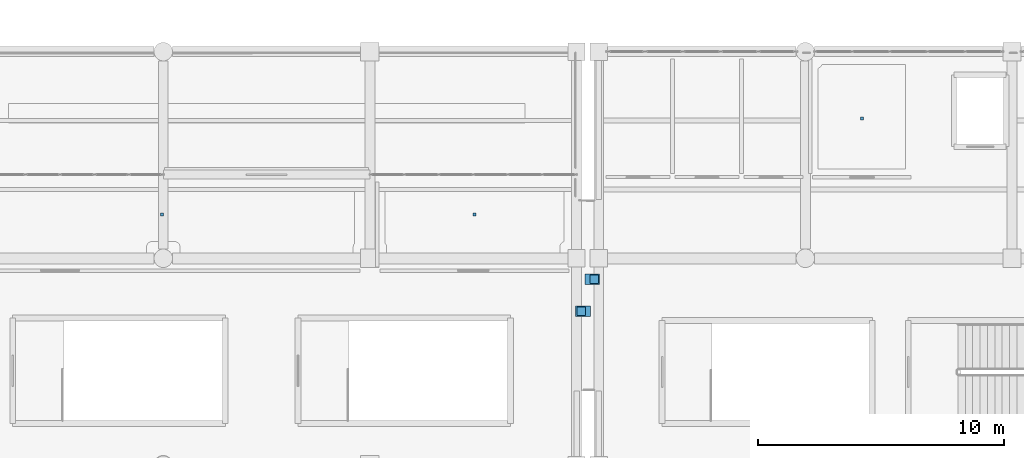
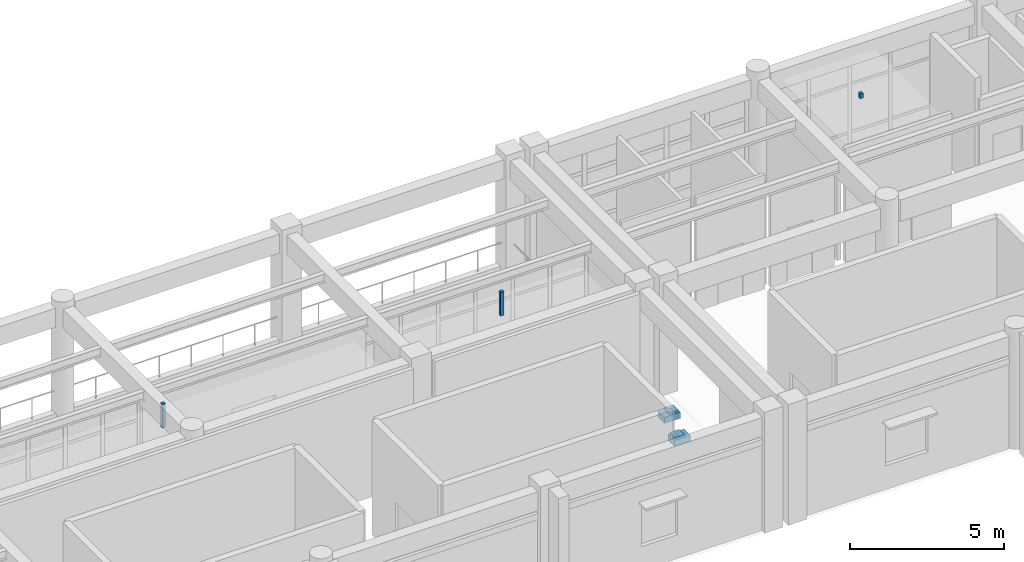
# One storey, part 90 of 111: 7 discrete accessories.
"""IFC4 building model written with IfcOpenShell, lengths in metres."""

from ifc_helpers import new_model, si_unit, direction, frame, origin, origin_2d, place, context, subcontext, project, spatial, rectangle, extrude, material, layer, layer_set, type_object, element, save


model = new_model("IFC4")

# Units and contexts
model_context = context("Model", 3, precision=1e-05, world=origin(), true_north=direction((0.0, 1.0)))
body_context = subcontext(model_context, "Body", "Model", "MODEL_VIEW")
ifc_project = project(units=[si_unit("LENGTHUNIT", "METRE"), si_unit("AREAUNIT", "SQUARE_METRE"), si_unit("VOLUMEUNIT", "CUBIC_METRE"), si_unit("PLANEANGLEUNIT", "RADIAN"), si_unit("MASSUNIT", "GRAM", prefix="KILO")], contexts=[model_context])

# Site, building, storey
site_placement = place(None, origin())
site = spatial("IfcSite", under=ifc_project, at=site_placement, CompositionType="ELEMENT")
building_placement = place(site_placement, origin())
building = spatial("IfcBuilding", under=site, at=building_placement, Name="Canglan Escarpment Cableway Terminal", CompositionType="ELEMENT")
storey_placement = place(building_placement, frame((0.0, 0.0, 4.800048828125)))
storey = spatial("IfcBuildingStorey", under=building, at=storey_placement, Name="L01", CompositionType="ELEMENT", Elevation=4.800048828125)

# Discrete accessories
ifc_material_1 = material(Name="Steel Q355B", Category="steel")
ifc_layer_1 = layer(ifc_material_1, 0.159912109375, Name="Steel Q355B")
ifc_layer_set_1 = layer_set([ifc_layer_1], Name="Steel Q355B")
discrete_accessory_type_1 = type_object("IfcDiscreteAccessoryType", Name="ACC-BRACKET-01", PredefinedType="BRACKET", material=ifc_layer_set_1)
for number, where, z_axis, x_axis, name in (
    (1, (24.75, 18.179931640625, 3.6201171875), (0.0, 0.0, 1.0), (1.0, 0.0, 0.0), "Suspended ceiling hanger bracket BK-01"),
    (2, (37.449951171875, 18.17578125, 3.6201171875), (0.0, 0.0, 1.0), (1.0, 0.0, 0.0), "Suspended ceiling hanger bracket BK-01"),
):
    element("IfcDiscreteAccessory", number, at=place(storey_placement, frame(where, z_axis=z_axis, x_axis=x_axis)), inside=storey, type_object=discrete_accessory_type_1, Name=name, PredefinedType="BRACKET", context=body_context, shape_type="SweptSolid", body=[
        extrude(rectangle(XDim=0.1201171875, YDim=0.1201171875, at=origin_2d()), origin(), (0.0, 0.0, 1.0), 0.949951171875),
    ])
discrete_accessory_placement = place(storey_placement, frame((53.199951171875, 22.07421875, 4.3701171875), z_axis=(0.0, 0.0, 1.0), x_axis=(1.0, 0.0, 0.0)))
element("IfcDiscreteAccessory", 3, at=discrete_accessory_placement, inside=storey, type_object=discrete_accessory_type_1, Name="Suspended ceiling hanger bracket BK-01", PredefinedType="BRACKET", context=body_context, shape_type="SweptSolid", body=[
    extrude(rectangle(XDim=0.1201171875, YDim=0.1201171875, at=origin_2d()), origin(), (0.0, 0.0, 1.0), 0.199951171875),
])
ifc_material_2 = material(Name="Concrete C40", Category="concrete")
ifc_layer_2 = layer(ifc_material_2, 0.239990234375, Name="Concrete C40")
ifc_layer_set_2 = layer_set([ifc_layer_2], Name="Concrete C40")
discrete_accessory_type_2 = type_object("IfcDiscreteAccessoryType", Name="ACC-CORBEL-CB01", PredefinedType="BRACKET", material=ifc_layer_set_2)
for number, where, z_axis, x_axis, name in (
    (4, (41.864990234375, 14.25, -0.5400390625), (0.0, 0.0, 1.0), (1.0, 0.0, 0.0), "Concrete C40 movement-joint corbel bearing ledge CB-01"),
    (5, (42.235107421875, 15.550048828125, -0.5400390625), (0.0, 0.0, 1.0), (1.0, 0.0, 0.0), "Concrete C40 movement-joint corbel bearing ledge CB-01"),
):
    element("IfcDiscreteAccessory", number, at=place(storey_placement, frame(where, z_axis=z_axis, x_axis=x_axis)), inside=storey, type_object=discrete_accessory_type_2, Name=name, PredefinedType="BRACKET", context=body_context, shape_type="SweptSolid", body=[
        extrude(rectangle(XDim=0.60009765625, YDim=0.419921875, at=origin_2d()), origin(), (0.0, 0.0, 1.0), 0.239990234375),
    ])
ifc_material_3 = material(Name="Stainless steel and PTFE elastomer", Category="steel")
ifc_layer_3 = layer(ifc_material_3, 0.080078125, Name="Stainless steel and PTFE elastomer")
ifc_layer_set_3 = layer_set([ifc_layer_3], Name="Stainless steel and PTFE elastomer")
discrete_accessory_type_3 = type_object("IfcDiscreteAccessoryType", Name="BRG-SLIDING-MJ01", PredefinedType="USERDEFINED", material=ifc_layer_set_3)
for number, where, z_axis, x_axis, name in (
    (6, (41.784912109375, 14.25, -0.300048828125), (0.0, 0.0, 1.0), (1.0, 0.0, 0.0), "Unguided PTFE-elastomeric sliding bearing pad MJ-01"),
    (7, (42.31494140625, 15.550048828125, -0.300048828125), (0.0, 0.0, 1.0), (1.0, 0.0, 0.0), "Unguided PTFE-elastomeric sliding bearing pad MJ-01"),
):
    element("IfcDiscreteAccessory", number, at=place(storey_placement, frame(where, z_axis=z_axis, x_axis=x_axis)), inside=storey, type_object=discrete_accessory_type_3, Name=name, ObjectType="SLIDING BEARING", PredefinedType="USERDEFINED", context=body_context, shape_type="SweptSolid", body=[
        extrude(rectangle(XDim=0.35009765625, YDim=0.35009765625, at=origin_2d()), origin(), (0.0, 0.0, 1.0), 0.080078125),
    ])

save(model, "model.ifc")
